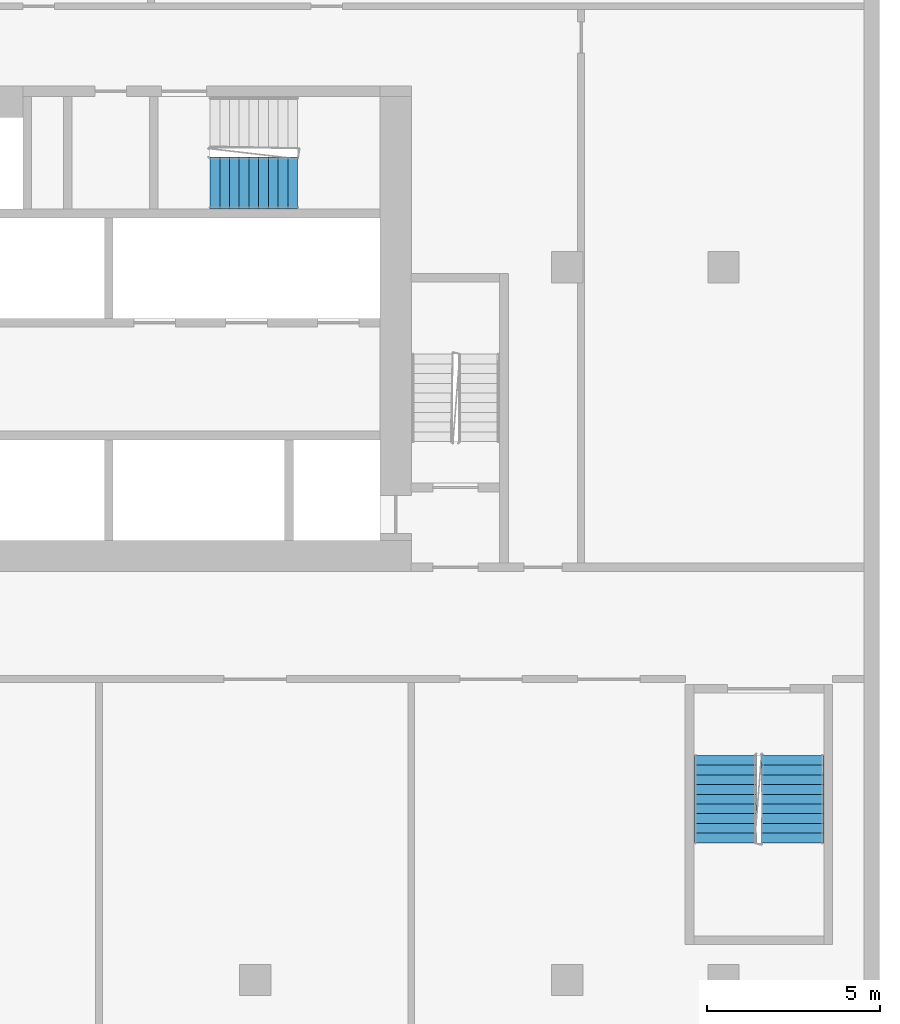
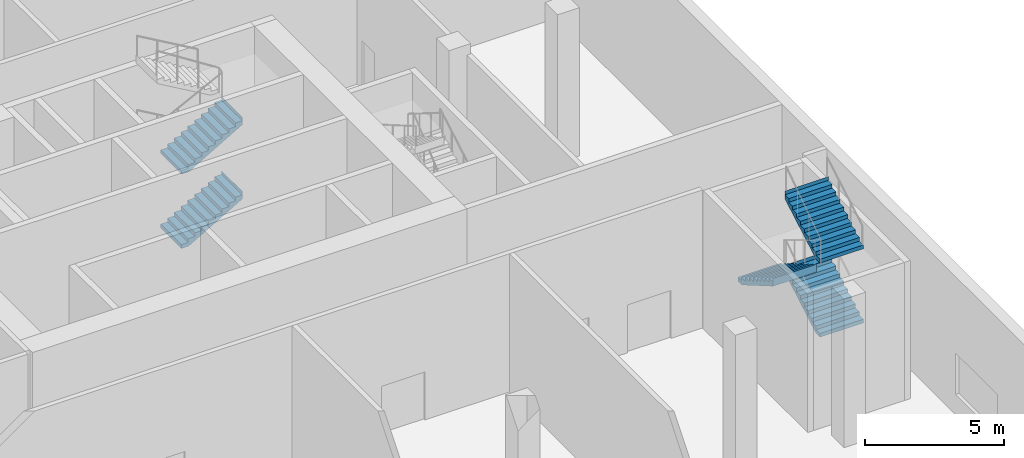
# One storey, part 20 of 24: 5 stair flights, 2 elements without a shape of their own.
"""IFC4 building model written with IfcOpenShell, lengths in metres."""

from ifc_helpers import new_model, si_unit, direction, frame, origin, place, context, subcontext, project, spatial, faceted_brep, material, type_object, element, aggregate, save


model = new_model("IFC4")

# Units and contexts
model_context = context("Model", 3, precision=1e-05, world=origin(), true_north=direction((0.0, 1.0)))
body_context = subcontext(model_context, "Body", "Model", "MODEL_VIEW")
ifc_project = project(units=[si_unit("LENGTHUNIT", "METRE"), si_unit("AREAUNIT", "SQUARE_METRE"), si_unit("VOLUMEUNIT", "CUBIC_METRE"), si_unit("PLANEANGLEUNIT", "RADIAN"), si_unit("MASSUNIT", "GRAM", prefix="KILO")], contexts=[model_context])

# Site, building, storey
site_placement = place(None, origin())
site = spatial("IfcSite", under=ifc_project, at=site_placement, CompositionType="ELEMENT")
building_placement = place(site_placement, origin())
building = spatial("IfcBuilding", under=site, at=building_placement, Name="Kajstack Hotel Tower", CompositionType="ELEMENT")
storey_placement = place(building_placement, frame((0.0, 0.0, 17.0)))
storey = spatial("IfcBuildingStorey", under=building, at=storey_placement, Name="L02", CompositionType="ELEMENT", Elevation=17.0)

# Stair, stair flights
ifc_material = material(Name="Concrete C40/50", Category="concrete")
stair_type_1 = type_object("IfcStairType", Name="Escape stair 1800", PredefinedType="HALF_TURN_STAIR", material=ifc_material)
stair_1_placement = place(storey_placement, origin())
stair_1 = element("IfcStair", 1, at=stair_1_placement, inside=storey, type_object=stair_type_1, Name="L02 stair P2", PredefinedType="HALF_TURN_STAIR")
stair_flight_type_1 = type_object("IfcStairFlightType", Name="Escape stair flight 1800", PredefinedType="STRAIGHT", material=ifc_material)
stair_flight_1_placement = place(storey_placement, frame((42.5, -6.320068359375, 1.625), z_axis=(0.0, 0.0, 1.0), x_axis=(0.0, 1.0, 0.0)))
stair_flight_1 = element("IfcStairFlight", 2, at=stair_flight_1_placement, type_object=stair_flight_type_1, Name="P2 flight 2", NumberOfRisers=10, NumberOfTreads=9, PredefinedType="STRAIGHT", RiserHeight=0.1625, TreadLength=0.28, context=body_context, shape_type="Brep", body=[
    faceted_brep([(0.299072265625, -0.89990234375, 0.0), (2.5205078125, -0.89990234375, 1.2890625), (2.5205078125, -0.89990234375, 1.625), (2.52001953125, -0.89990234375, 1.625), (2.52001953125, -0.89990234375, 1.46240234375), (2.239990234375, -0.89990234375, 1.46240234375), (2.239990234375, -0.89990234375, 1.300048828125), (1.9599609375, -0.89990234375, 1.300048828125), (1.9599609375, -0.89990234375, 1.137451171875), (1.679931640625, -0.89990234375, 1.137451171875), (1.679931640625, -0.89990234375, 0.97509765625), (1.39990234375, -0.89990234375, 0.97509765625), (1.39990234375, -0.89990234375, 0.8125), (1.1201171875, -0.89990234375, 0.8125), (1.1201171875, -0.89990234375, 0.64990234375), (0.840087890625, -0.89990234375, 0.64990234375), (0.840087890625, -0.89990234375, 0.487548828125), (0.56005859375, -0.89990234375, 0.487548828125), (0.56005859375, -0.89990234375, 0.324951171875), (0.280029296875, -0.89990234375, 0.324951171875), (0.280029296875, -0.89990234375, 0.16259765625), (-0.00048828125, -0.89990234375, 0.16259765625), (-0.00048828125, -0.89990234375, 0.0), (-0.00048828125, 0.89990234375, 0.0), (-0.00048828125, 0.89990234375, 0.16259765625), (0.280029296875, 0.89990234375, 0.16259765625), (0.280029296875, 0.89990234375, 0.324951171875), (0.56005859375, 0.89990234375, 0.324951171875), (0.56005859375, 0.89990234375, 0.487548828125), (0.840087890625, 0.89990234375, 0.487548828125), (0.840087890625, 0.89990234375, 0.64990234375), (1.1201171875, 0.89990234375, 0.64990234375), (1.1201171875, 0.89990234375, 0.8125), (1.39990234375, 0.89990234375, 0.8125), (1.39990234375, 0.89990234375, 0.97509765625), (1.679931640625, 0.89990234375, 0.97509765625), (1.679931640625, 0.89990234375, 1.137451171875), (1.9599609375, 0.89990234375, 1.137451171875), (1.9599609375, 0.89990234375, 1.300048828125), (2.239990234375, 0.89990234375, 1.300048828125), (2.239990234375, 0.89990234375, 1.46240234375), (2.52001953125, 0.89990234375, 1.46240234375), (2.52001953125, 0.89990234375, 1.625), (2.5205078125, 0.89990234375, 1.625), (2.5205078125, 0.89990234375, 1.2890625), (0.299072265625, 0.89990234375, 0.0), (-0.00048828125, -0.449951171875, 0.16259765625), (-0.00048828125, 0.0, 0.16259765625), (-0.00048828125, 0.449951171875, 0.16259765625), (-0.00048828125, 0.449951171875, 0.0), (-0.00048828125, 0.0, 0.0), (-0.00048828125, -0.449951171875, 0.0), (0.280029296875, -0.449951171875, 0.16259765625), (0.280029296875, 0.0, 0.16259765625), (0.280029296875, 0.449951171875, 0.16259765625), (0.280029296875, -0.449951171875, 0.324951171875), (0.280029296875, 0.0, 0.324951171875), (0.280029296875, 0.449951171875, 0.324951171875), (0.56005859375, -0.449951171875, 0.324951171875), (0.56005859375, 0.0, 0.324951171875), (0.56005859375, 0.449951171875, 0.324951171875), (0.56005859375, -0.449951171875, 0.487548828125), (0.56005859375, 0.0, 0.487548828125), (0.56005859375, 0.449951171875, 0.487548828125), (0.840087890625, -0.449951171875, 0.487548828125), (0.840087890625, 0.0, 0.487548828125), (0.840087890625, 0.449951171875, 0.487548828125), (0.840087890625, -0.449951171875, 0.64990234375), (0.840087890625, 0.0, 0.64990234375), (0.840087890625, 0.449951171875, 0.64990234375), (1.1201171875, -0.449951171875, 0.64990234375), (1.1201171875, 0.0, 0.64990234375), (1.1201171875, 0.449951171875, 0.64990234375), (1.1201171875, -0.449951171875, 0.8125), (1.1201171875, 0.0, 0.8125), (1.1201171875, 0.449951171875, 0.8125), (1.39990234375, -0.449951171875, 0.8125), (1.39990234375, 0.0, 0.8125), (1.39990234375, 0.449951171875, 0.8125), (1.39990234375, -0.449951171875, 0.97509765625), (1.39990234375, 0.0, 0.97509765625), (1.39990234375, 0.449951171875, 0.97509765625), (1.679931640625, -0.449951171875, 0.97509765625), (1.679931640625, 0.0, 0.97509765625), (1.679931640625, 0.449951171875, 0.97509765625), (1.679931640625, -0.449951171875, 1.137451171875), (1.679931640625, 0.0, 1.137451171875), (1.679931640625, 0.449951171875, 1.137451171875), (1.9599609375, -0.449951171875, 1.137451171875), (1.9599609375, 0.0, 1.137451171875), (1.9599609375, 0.449951171875, 1.137451171875), (1.9599609375, -0.449951171875, 1.300048828125), (1.9599609375, 0.0, 1.300048828125), (1.9599609375, 0.449951171875, 1.300048828125), (2.239990234375, -0.449951171875, 1.300048828125), (2.239990234375, 0.0, 1.300048828125), (2.239990234375, 0.449951171875, 1.300048828125), (2.239990234375, -0.449951171875, 1.46240234375), (2.239990234375, 0.0, 1.46240234375), (2.239990234375, 0.449951171875, 1.46240234375), (2.52001953125, -0.449951171875, 1.46240234375), (2.52001953125, 0.0, 1.46240234375), (2.52001953125, 0.449951171875, 1.46240234375), (2.52001953125, -0.449951171875, 1.625), (2.52001953125, 0.0, 1.625), (2.52001953125, 0.449951171875, 1.625), (2.5205078125, -0.449951171875, 1.625), (2.5205078125, 0.0, 1.625), (2.5205078125, 0.449951171875, 1.625), (2.5205078125, -0.449951171875, 1.2890625), (2.5205078125, 0.0, 1.2890625), (2.5205078125, 0.449951171875, 1.2890625), (0.299072265625, -0.449951171875, 0.0), (0.299072265625, 0.0, 0.0), (0.299072265625, 0.449951171875, 0.0)], [[[0, 1, 2, 3, 4, 5, 6, 7, 8, 9, 10, 11, 12, 13, 14, 15, 16, 17, 18, 19, 20, 21, 22]], [[23, 24, 25, 26, 27, 28, 29, 30, 31, 32, 33, 34, 35, 36, 37, 38, 39, 40, 41, 42, 43, 44, 45]], [[21, 46, 47, 48, 24, 23, 49, 50, 51, 22]], [[20, 52, 53, 54, 25, 24, 48, 47, 46, 21]], [[19, 55, 56, 57, 26, 25, 54, 53, 52, 20]], [[18, 58, 59, 60, 27, 26, 57, 56, 55, 19]], [[17, 61, 62, 63, 28, 27, 60, 59, 58, 18]], [[16, 64, 65, 66, 29, 28, 63, 62, 61, 17]], [[15, 67, 68, 69, 30, 29, 66, 65, 64, 16]], [[14, 70, 71, 72, 31, 30, 69, 68, 67, 15]], [[13, 73, 74, 75, 32, 31, 72, 71, 70, 14]], [[12, 76, 77, 78, 33, 32, 75, 74, 73, 13]], [[11, 79, 80, 81, 34, 33, 78, 77, 76, 12]], [[10, 82, 83, 84, 35, 34, 81, 80, 79, 11]], [[9, 85, 86, 87, 36, 35, 84, 83, 82, 10]], [[8, 88, 89, 90, 37, 36, 87, 86, 85, 9]], [[7, 91, 92, 93, 38, 37, 90, 89, 88, 8]], [[6, 94, 95, 96, 39, 38, 93, 92, 91, 7]], [[5, 97, 98, 99, 40, 39, 96, 95, 94, 6]], [[4, 100, 101, 102, 41, 40, 99, 98, 97, 5]], [[3, 103, 104, 105, 42, 41, 102, 101, 100, 4]], [[2, 106, 107, 108, 43, 42, 105, 104, 103, 3]], [[1, 109, 110, 111, 44, 43, 108, 107, 106, 2]], [[0, 112, 113, 114, 45, 44, 111, 110, 109, 1]], [[22, 51, 50, 49, 23, 45, 114, 113, 112, 0]]]),
])
stair_flight_2_placement = place(storey_placement, frame((40.550048828125, -3.800048828125, 3.25), z_axis=(0.0, 0.0, 1.0), x_axis=(0.0, -1.0, 0.0)))
stair_flight_2 = element("IfcStairFlight", 3, at=stair_flight_2_placement, type_object=stair_flight_type_1, Name="P2 flight 3", NumberOfRisers=10, NumberOfTreads=9, PredefinedType="STRAIGHT", RiserHeight=0.1625, TreadLength=0.28, context=body_context, shape_type="Brep", body=[
    faceted_brep([(0.299072265625, -0.89990234375, 0.0), (2.5205078125, -0.89990234375, 1.2890625), (2.5205078125, -0.89990234375, 1.625), (2.52001953125, -0.89990234375, 1.625), (2.52001953125, -0.89990234375, 1.46240234375), (2.239990234375, -0.89990234375, 1.46240234375), (2.239990234375, -0.89990234375, 1.300048828125), (1.9599609375, -0.89990234375, 1.300048828125), (1.9599609375, -0.89990234375, 1.137451171875), (1.679931640625, -0.89990234375, 1.137451171875), (1.679931640625, -0.89990234375, 0.97509765625), (1.39990234375, -0.89990234375, 0.97509765625), (1.39990234375, -0.89990234375, 0.8125), (1.1201171875, -0.89990234375, 0.8125), (1.1201171875, -0.89990234375, 0.64990234375), (0.840087890625, -0.89990234375, 0.64990234375), (0.840087890625, -0.89990234375, 0.487548828125), (0.56005859375, -0.89990234375, 0.487548828125), (0.56005859375, -0.89990234375, 0.324951171875), (0.280029296875, -0.89990234375, 0.324951171875), (0.280029296875, -0.89990234375, 0.16259765625), (-0.00048828125, -0.89990234375, 0.16259765625), (-0.00048828125, -0.89990234375, 0.0), (-0.00048828125, 0.89990234375, 0.0), (-0.00048828125, 0.89990234375, 0.16259765625), (0.280029296875, 0.89990234375, 0.16259765625), (0.280029296875, 0.89990234375, 0.324951171875), (0.56005859375, 0.89990234375, 0.324951171875), (0.56005859375, 0.89990234375, 0.487548828125), (0.840087890625, 0.89990234375, 0.487548828125), (0.840087890625, 0.89990234375, 0.64990234375), (1.1201171875, 0.89990234375, 0.64990234375), (1.1201171875, 0.89990234375, 0.8125), (1.39990234375, 0.89990234375, 0.8125), (1.39990234375, 0.89990234375, 0.97509765625), (1.679931640625, 0.89990234375, 0.97509765625), (1.679931640625, 0.89990234375, 1.137451171875), (1.9599609375, 0.89990234375, 1.137451171875), (1.9599609375, 0.89990234375, 1.300048828125), (2.239990234375, 0.89990234375, 1.300048828125), (2.239990234375, 0.89990234375, 1.46240234375), (2.52001953125, 0.89990234375, 1.46240234375), (2.52001953125, 0.89990234375, 1.625), (2.5205078125, 0.89990234375, 1.625), (2.5205078125, 0.89990234375, 1.2890625), (0.299072265625, 0.89990234375, 0.0), (-0.00048828125, -0.449951171875, 0.16259765625), (-0.00048828125, 0.0, 0.16259765625), (-0.00048828125, 0.449951171875, 0.16259765625), (-0.00048828125, 0.449951171875, 0.0), (-0.00048828125, 0.0, 0.0), (-0.00048828125, -0.449951171875, 0.0), (0.280029296875, -0.449951171875, 0.16259765625), (0.280029296875, 0.0, 0.16259765625), (0.280029296875, 0.449951171875, 0.16259765625), (0.280029296875, -0.449951171875, 0.324951171875), (0.280029296875, 0.0, 0.324951171875), (0.280029296875, 0.449951171875, 0.324951171875), (0.56005859375, -0.449951171875, 0.324951171875), (0.56005859375, 0.0, 0.324951171875), (0.56005859375, 0.449951171875, 0.324951171875), (0.56005859375, -0.449951171875, 0.487548828125), (0.56005859375, 0.0, 0.487548828125), (0.56005859375, 0.449951171875, 0.487548828125), (0.840087890625, -0.449951171875, 0.487548828125), (0.840087890625, 0.0, 0.487548828125), (0.840087890625, 0.449951171875, 0.487548828125), (0.840087890625, -0.449951171875, 0.64990234375), (0.840087890625, 0.0, 0.64990234375), (0.840087890625, 0.449951171875, 0.64990234375), (1.1201171875, -0.449951171875, 0.64990234375), (1.1201171875, 0.0, 0.64990234375), (1.1201171875, 0.449951171875, 0.64990234375), (1.1201171875, -0.449951171875, 0.8125), (1.1201171875, 0.0, 0.8125), (1.1201171875, 0.449951171875, 0.8125), (1.39990234375, -0.449951171875, 0.8125), (1.39990234375, 0.0, 0.8125), (1.39990234375, 0.449951171875, 0.8125), (1.39990234375, -0.449951171875, 0.97509765625), (1.39990234375, 0.0, 0.97509765625), (1.39990234375, 0.449951171875, 0.97509765625), (1.679931640625, -0.449951171875, 0.97509765625), (1.679931640625, 0.0, 0.97509765625), (1.679931640625, 0.449951171875, 0.97509765625), (1.679931640625, -0.449951171875, 1.137451171875), (1.679931640625, 0.0, 1.137451171875), (1.679931640625, 0.449951171875, 1.137451171875), (1.9599609375, -0.449951171875, 1.137451171875), (1.9599609375, 0.0, 1.137451171875), (1.9599609375, 0.449951171875, 1.137451171875), (1.9599609375, -0.449951171875, 1.300048828125), (1.9599609375, 0.0, 1.300048828125), (1.9599609375, 0.449951171875, 1.300048828125), (2.239990234375, -0.449951171875, 1.300048828125), (2.239990234375, 0.0, 1.300048828125), (2.239990234375, 0.449951171875, 1.300048828125), (2.239990234375, -0.449951171875, 1.46240234375), (2.239990234375, 0.0, 1.46240234375), (2.239990234375, 0.449951171875, 1.46240234375), (2.52001953125, -0.449951171875, 1.46240234375), (2.52001953125, 0.0, 1.46240234375), (2.52001953125, 0.449951171875, 1.46240234375), (2.52001953125, -0.449951171875, 1.625), (2.52001953125, 0.0, 1.625), (2.52001953125, 0.449951171875, 1.625), (2.5205078125, -0.449951171875, 1.625), (2.5205078125, 0.0, 1.625), (2.5205078125, 0.449951171875, 1.625), (2.5205078125, -0.449951171875, 1.2890625), (2.5205078125, 0.0, 1.2890625), (2.5205078125, 0.449951171875, 1.2890625), (0.299072265625, -0.449951171875, 0.0), (0.299072265625, 0.0, 0.0), (0.299072265625, 0.449951171875, 0.0)], [[[0, 1, 2, 3, 4, 5, 6, 7, 8, 9, 10, 11, 12, 13, 14, 15, 16, 17, 18, 19, 20, 21, 22]], [[23, 24, 25, 26, 27, 28, 29, 30, 31, 32, 33, 34, 35, 36, 37, 38, 39, 40, 41, 42, 43, 44, 45]], [[21, 46, 47, 48, 24, 23, 49, 50, 51, 22]], [[20, 52, 53, 54, 25, 24, 48, 47, 46, 21]], [[19, 55, 56, 57, 26, 25, 54, 53, 52, 20]], [[18, 58, 59, 60, 27, 26, 57, 56, 55, 19]], [[17, 61, 62, 63, 28, 27, 60, 59, 58, 18]], [[16, 64, 65, 66, 29, 28, 63, 62, 61, 17]], [[15, 67, 68, 69, 30, 29, 66, 65, 64, 16]], [[14, 70, 71, 72, 31, 30, 69, 68, 67, 15]], [[13, 73, 74, 75, 32, 31, 72, 71, 70, 14]], [[12, 76, 77, 78, 33, 32, 75, 74, 73, 13]], [[11, 79, 80, 81, 34, 33, 78, 77, 76, 12]], [[10, 82, 83, 84, 35, 34, 81, 80, 79, 11]], [[9, 85, 86, 87, 36, 35, 84, 83, 82, 10]], [[8, 88, 89, 90, 37, 36, 87, 86, 85, 9]], [[7, 91, 92, 93, 38, 37, 90, 89, 88, 8]], [[6, 94, 95, 96, 39, 38, 93, 92, 91, 7]], [[5, 97, 98, 99, 40, 39, 96, 95, 94, 6]], [[4, 100, 101, 102, 41, 40, 99, 98, 97, 5]], [[3, 103, 104, 105, 42, 41, 102, 101, 100, 4]], [[2, 106, 107, 108, 43, 42, 105, 104, 103, 3]], [[1, 109, 110, 111, 44, 43, 108, 107, 106, 2]], [[0, 112, 113, 114, 45, 44, 111, 110, 109, 1]], [[22, 51, 50, 49, 23, 45, 114, 113, 112, 0]]]),
])
stair_flight_3_placement = place(storey_placement, frame((42.5, -6.320068359375, 4.875), z_axis=(0.0, 0.0, 1.0), x_axis=(0.0, 1.0, 0.0)))
stair_flight_3 = element("IfcStairFlight", 4, at=stair_flight_3_placement, type_object=stair_flight_type_1, Name="P2 flight 4", NumberOfRisers=10, NumberOfTreads=9, PredefinedType="STRAIGHT", RiserHeight=0.1625, TreadLength=0.28, context=body_context, shape_type="Brep", body=[
    faceted_brep([(0.299072265625, -0.89990234375, 0.0), (2.5205078125, -0.89990234375, 1.2890625), (2.5205078125, -0.89990234375, 1.625), (2.52001953125, -0.89990234375, 1.625), (2.52001953125, -0.89990234375, 1.46240234375), (2.239990234375, -0.89990234375, 1.46240234375), (2.239990234375, -0.89990234375, 1.300048828125), (1.9599609375, -0.89990234375, 1.300048828125), (1.9599609375, -0.89990234375, 1.137451171875), (1.679931640625, -0.89990234375, 1.137451171875), (1.679931640625, -0.89990234375, 0.97509765625), (1.39990234375, -0.89990234375, 0.97509765625), (1.39990234375, -0.89990234375, 0.8125), (1.1201171875, -0.89990234375, 0.8125), (1.1201171875, -0.89990234375, 0.64990234375), (0.840087890625, -0.89990234375, 0.64990234375), (0.840087890625, -0.89990234375, 0.487548828125), (0.56005859375, -0.89990234375, 0.487548828125), (0.56005859375, -0.89990234375, 0.324951171875), (0.280029296875, -0.89990234375, 0.324951171875), (0.280029296875, -0.89990234375, 0.16259765625), (-0.00048828125, -0.89990234375, 0.16259765625), (-0.00048828125, -0.89990234375, 0.0), (-0.00048828125, 0.89990234375, 0.0), (-0.00048828125, 0.89990234375, 0.16259765625), (0.280029296875, 0.89990234375, 0.16259765625), (0.280029296875, 0.89990234375, 0.324951171875), (0.56005859375, 0.89990234375, 0.324951171875), (0.56005859375, 0.89990234375, 0.487548828125), (0.840087890625, 0.89990234375, 0.487548828125), (0.840087890625, 0.89990234375, 0.64990234375), (1.1201171875, 0.89990234375, 0.64990234375), (1.1201171875, 0.89990234375, 0.8125), (1.39990234375, 0.89990234375, 0.8125), (1.39990234375, 0.89990234375, 0.97509765625), (1.679931640625, 0.89990234375, 0.97509765625), (1.679931640625, 0.89990234375, 1.137451171875), (1.9599609375, 0.89990234375, 1.137451171875), (1.9599609375, 0.89990234375, 1.300048828125), (2.239990234375, 0.89990234375, 1.300048828125), (2.239990234375, 0.89990234375, 1.46240234375), (2.52001953125, 0.89990234375, 1.46240234375), (2.52001953125, 0.89990234375, 1.625), (2.5205078125, 0.89990234375, 1.625), (2.5205078125, 0.89990234375, 1.2890625), (0.299072265625, 0.89990234375, 0.0), (-0.00048828125, -0.449951171875, 0.16259765625), (-0.00048828125, 0.0, 0.16259765625), (-0.00048828125, 0.449951171875, 0.16259765625), (-0.00048828125, 0.449951171875, 0.0), (-0.00048828125, 0.0, 0.0), (-0.00048828125, -0.449951171875, 0.0), (0.280029296875, -0.449951171875, 0.16259765625), (0.280029296875, 0.0, 0.16259765625), (0.280029296875, 0.449951171875, 0.16259765625), (0.280029296875, -0.449951171875, 0.324951171875), (0.280029296875, 0.0, 0.324951171875), (0.280029296875, 0.449951171875, 0.324951171875), (0.56005859375, -0.449951171875, 0.324951171875), (0.56005859375, 0.0, 0.324951171875), (0.56005859375, 0.449951171875, 0.324951171875), (0.56005859375, -0.449951171875, 0.487548828125), (0.56005859375, 0.0, 0.487548828125), (0.56005859375, 0.449951171875, 0.487548828125), (0.840087890625, -0.449951171875, 0.487548828125), (0.840087890625, 0.0, 0.487548828125), (0.840087890625, 0.449951171875, 0.487548828125), (0.840087890625, -0.449951171875, 0.64990234375), (0.840087890625, 0.0, 0.64990234375), (0.840087890625, 0.449951171875, 0.64990234375), (1.1201171875, -0.449951171875, 0.64990234375), (1.1201171875, 0.0, 0.64990234375), (1.1201171875, 0.449951171875, 0.64990234375), (1.1201171875, -0.449951171875, 0.8125), (1.1201171875, 0.0, 0.8125), (1.1201171875, 0.449951171875, 0.8125), (1.39990234375, -0.449951171875, 0.8125), (1.39990234375, 0.0, 0.8125), (1.39990234375, 0.449951171875, 0.8125), (1.39990234375, -0.449951171875, 0.97509765625), (1.39990234375, 0.0, 0.97509765625), (1.39990234375, 0.449951171875, 0.97509765625), (1.679931640625, -0.449951171875, 0.97509765625), (1.679931640625, 0.0, 0.97509765625), (1.679931640625, 0.449951171875, 0.97509765625), (1.679931640625, -0.449951171875, 1.137451171875), (1.679931640625, 0.0, 1.137451171875), (1.679931640625, 0.449951171875, 1.137451171875), (1.9599609375, -0.449951171875, 1.137451171875), (1.9599609375, 0.0, 1.137451171875), (1.9599609375, 0.449951171875, 1.137451171875), (1.9599609375, -0.449951171875, 1.300048828125), (1.9599609375, 0.0, 1.300048828125), (1.9599609375, 0.449951171875, 1.300048828125), (2.239990234375, -0.449951171875, 1.300048828125), (2.239990234375, 0.0, 1.300048828125), (2.239990234375, 0.449951171875, 1.300048828125), (2.239990234375, -0.449951171875, 1.46240234375), (2.239990234375, 0.0, 1.46240234375), (2.239990234375, 0.449951171875, 1.46240234375), (2.52001953125, -0.449951171875, 1.46240234375), (2.52001953125, 0.0, 1.46240234375), (2.52001953125, 0.449951171875, 1.46240234375), (2.52001953125, -0.449951171875, 1.625), (2.52001953125, 0.0, 1.625), (2.52001953125, 0.449951171875, 1.625), (2.5205078125, -0.449951171875, 1.625), (2.5205078125, 0.0, 1.625), (2.5205078125, 0.449951171875, 1.625), (2.5205078125, -0.449951171875, 1.2890625), (2.5205078125, 0.0, 1.2890625), (2.5205078125, 0.449951171875, 1.2890625), (0.299072265625, -0.449951171875, 0.0), (0.299072265625, 0.0, 0.0), (0.299072265625, 0.449951171875, 0.0)], [[[0, 1, 2, 3, 4, 5, 6, 7, 8, 9, 10, 11, 12, 13, 14, 15, 16, 17, 18, 19, 20, 21, 22]], [[23, 24, 25, 26, 27, 28, 29, 30, 31, 32, 33, 34, 35, 36, 37, 38, 39, 40, 41, 42, 43, 44, 45]], [[21, 46, 47, 48, 24, 23, 49, 50, 51, 22]], [[20, 52, 53, 54, 25, 24, 48, 47, 46, 21]], [[19, 55, 56, 57, 26, 25, 54, 53, 52, 20]], [[18, 58, 59, 60, 27, 26, 57, 56, 55, 19]], [[17, 61, 62, 63, 28, 27, 60, 59, 58, 18]], [[16, 64, 65, 66, 29, 28, 63, 62, 61, 17]], [[15, 67, 68, 69, 30, 29, 66, 65, 64, 16]], [[14, 70, 71, 72, 31, 30, 69, 68, 67, 15]], [[13, 73, 74, 75, 32, 31, 72, 71, 70, 14]], [[12, 76, 77, 78, 33, 32, 75, 74, 73, 13]], [[11, 79, 80, 81, 34, 33, 78, 77, 76, 12]], [[10, 82, 83, 84, 35, 34, 81, 80, 79, 11]], [[9, 85, 86, 87, 36, 35, 84, 83, 82, 10]], [[8, 88, 89, 90, 37, 36, 87, 86, 85, 9]], [[7, 91, 92, 93, 38, 37, 90, 89, 88, 8]], [[6, 94, 95, 96, 39, 38, 93, 92, 91, 7]], [[5, 97, 98, 99, 40, 39, 96, 95, 94, 6]], [[4, 100, 101, 102, 41, 40, 99, 98, 97, 5]], [[3, 103, 104, 105, 42, 41, 102, 101, 100, 4]], [[2, 106, 107, 108, 43, 42, 105, 104, 103, 3]], [[1, 109, 110, 111, 44, 43, 108, 107, 106, 2]], [[0, 112, 113, 114, 45, 44, 111, 110, 109, 1]], [[22, 51, 50, 49, 23, 45, 114, 113, 112, 0]]]),
])
aggregate(stair_1, [stair_flight_1, stair_flight_2, stair_flight_3])

stair_type_2 = type_object("IfcStairType", Name="Exit stair 1500", PredefinedType="HALF_TURN_STAIR", material=ifc_material)
stair_2_placement = place(storey_placement, origin())
stair_2 = element("IfcStair", 5, at=stair_2_placement, inside=storey, type_object=stair_type_2, Name="L02 stair E3", PredefinedType="HALF_TURN_STAIR")
stair_flight_type_2 = type_object("IfcStairFlightType", Name="Exit stair flight 1500", PredefinedType="STRAIGHT", material=ifc_material)
stair_flight_4_placement = place(storey_placement, frame((25.699951171875, 12.699951171875, 0.0), z_axis=(0.0, 0.0, 1.0), x_axis=(1.0, 0.0, 0.0)))
stair_flight_4 = element("IfcStairFlight", 6, at=stair_flight_4_placement, type_object=stair_flight_type_2, Name="E3 flight 1", NumberOfRisers=10, NumberOfTreads=9, PredefinedType="STRAIGHT", RiserHeight=0.1625, TreadLength=0.28, context=body_context, shape_type="Brep", body=[
    faceted_brep([(0.299072265625, -0.75, 0.0), (2.5205078125, -0.75, 1.2890625), (2.5205078125, -0.75, 1.625), (2.52001953125, -0.75, 1.625), (2.52001953125, -0.75, 1.46240234375), (2.239990234375, -0.75, 1.46240234375), (2.239990234375, -0.75, 1.300048828125), (1.9599609375, -0.75, 1.300048828125), (1.9599609375, -0.75, 1.137451171875), (1.679931640625, -0.75, 1.137451171875), (1.679931640625, -0.75, 0.97509765625), (1.39990234375, -0.75, 0.97509765625), (1.39990234375, -0.75, 0.8125), (1.1201171875, -0.75, 0.8125), (1.1201171875, -0.75, 0.64990234375), (0.840087890625, -0.75, 0.64990234375), (0.840087890625, -0.75, 0.487548828125), (0.56005859375, -0.75, 0.487548828125), (0.56005859375, -0.75, 0.324951171875), (0.280029296875, -0.75, 0.324951171875), (0.280029296875, -0.75, 0.16259765625), (-0.00048828125, -0.75, 0.16259765625), (-0.00048828125, -0.75, 0.0), (-0.00048828125, 0.75, 0.0), (-0.00048828125, 0.75, 0.16259765625), (0.280029296875, 0.75, 0.16259765625), (0.280029296875, 0.75, 0.324951171875), (0.56005859375, 0.75, 0.324951171875), (0.56005859375, 0.75, 0.487548828125), (0.840087890625, 0.75, 0.487548828125), (0.840087890625, 0.75, 0.64990234375), (1.1201171875, 0.75, 0.64990234375), (1.1201171875, 0.75, 0.8125), (1.39990234375, 0.75, 0.8125), (1.39990234375, 0.75, 0.97509765625), (1.679931640625, 0.75, 0.97509765625), (1.679931640625, 0.75, 1.137451171875), (1.9599609375, 0.75, 1.137451171875), (1.9599609375, 0.75, 1.300048828125), (2.239990234375, 0.75, 1.300048828125), (2.239990234375, 0.75, 1.46240234375), (2.52001953125, 0.75, 1.46240234375), (2.52001953125, 0.75, 1.625), (2.5205078125, 0.75, 1.625), (2.5205078125, 0.75, 1.2890625), (0.299072265625, 0.75, 0.0), (-0.00048828125, -0.375, 0.16259765625), (-0.00048828125, 0.0, 0.16259765625), (-0.00048828125, 0.375, 0.16259765625), (-0.00048828125, 0.375, 0.0), (-0.00048828125, 0.0, 0.0), (-0.00048828125, -0.375, 0.0), (0.280029296875, -0.375, 0.16259765625), (0.280029296875, 0.0, 0.16259765625), (0.280029296875, 0.375, 0.16259765625), (0.280029296875, -0.375, 0.324951171875), (0.280029296875, 0.0, 0.324951171875), (0.280029296875, 0.375, 0.324951171875), (0.56005859375, -0.375, 0.324951171875), (0.56005859375, 0.0, 0.324951171875), (0.56005859375, 0.375, 0.324951171875), (0.56005859375, -0.375, 0.487548828125), (0.56005859375, 0.0, 0.487548828125), (0.56005859375, 0.375, 0.487548828125), (0.840087890625, -0.375, 0.487548828125), (0.840087890625, 0.0, 0.487548828125), (0.840087890625, 0.375, 0.487548828125), (0.840087890625, -0.375, 0.64990234375), (0.840087890625, 0.0, 0.64990234375), (0.840087890625, 0.375, 0.64990234375), (1.1201171875, -0.375, 0.64990234375), (1.1201171875, 0.0, 0.64990234375), (1.1201171875, 0.375, 0.64990234375), (1.1201171875, -0.375, 0.8125), (1.1201171875, 0.0, 0.8125), (1.1201171875, 0.375, 0.8125), (1.39990234375, -0.375, 0.8125), (1.39990234375, 0.0, 0.8125), (1.39990234375, 0.375, 0.8125), (1.39990234375, -0.375, 0.97509765625), (1.39990234375, 0.0, 0.97509765625), (1.39990234375, 0.375, 0.97509765625), (1.679931640625, -0.375, 0.97509765625), (1.679931640625, 0.0, 0.97509765625), (1.679931640625, 0.375, 0.97509765625), (1.679931640625, -0.375, 1.137451171875), (1.679931640625, 0.0, 1.137451171875), (1.679931640625, 0.375, 1.137451171875), (1.9599609375, -0.375, 1.137451171875), (1.9599609375, 0.0, 1.137451171875), (1.9599609375, 0.375, 1.137451171875), (1.9599609375, -0.375, 1.300048828125), (1.9599609375, 0.0, 1.300048828125), (1.9599609375, 0.375, 1.300048828125), (2.239990234375, -0.375, 1.300048828125), (2.239990234375, 0.0, 1.300048828125), (2.239990234375, 0.375, 1.300048828125), (2.239990234375, -0.375, 1.46240234375), (2.239990234375, 0.0, 1.46240234375), (2.239990234375, 0.375, 1.46240234375), (2.52001953125, -0.375, 1.46240234375), (2.52001953125, 0.0, 1.46240234375), (2.52001953125, 0.375, 1.46240234375), (2.52001953125, -0.375, 1.625), (2.52001953125, 0.0, 1.625), (2.52001953125, 0.375, 1.625), (2.5205078125, -0.375, 1.625), (2.5205078125, 0.0, 1.625), (2.5205078125, 0.375, 1.625), (2.5205078125, -0.375, 1.2890625), (2.5205078125, 0.0, 1.2890625), (2.5205078125, 0.375, 1.2890625), (0.299072265625, -0.375, 0.0), (0.299072265625, 0.0, 0.0), (0.299072265625, 0.375, 0.0)], [[[0, 1, 2, 3, 4, 5, 6, 7, 8, 9, 10, 11, 12, 13, 14, 15, 16, 17, 18, 19, 20, 21, 22]], [[23, 24, 25, 26, 27, 28, 29, 30, 31, 32, 33, 34, 35, 36, 37, 38, 39, 40, 41, 42, 43, 44, 45]], [[21, 46, 47, 48, 24, 23, 49, 50, 51, 22]], [[20, 52, 53, 54, 25, 24, 48, 47, 46, 21]], [[19, 55, 56, 57, 26, 25, 54, 53, 52, 20]], [[18, 58, 59, 60, 27, 26, 57, 56, 55, 19]], [[17, 61, 62, 63, 28, 27, 60, 59, 58, 18]], [[16, 64, 65, 66, 29, 28, 63, 62, 61, 17]], [[15, 67, 68, 69, 30, 29, 66, 65, 64, 16]], [[14, 70, 71, 72, 31, 30, 69, 68, 67, 15]], [[13, 73, 74, 75, 32, 31, 72, 71, 70, 14]], [[12, 76, 77, 78, 33, 32, 75, 74, 73, 13]], [[11, 79, 80, 81, 34, 33, 78, 77, 76, 12]], [[10, 82, 83, 84, 35, 34, 81, 80, 79, 11]], [[9, 85, 86, 87, 36, 35, 84, 83, 82, 10]], [[8, 88, 89, 90, 37, 36, 87, 86, 85, 9]], [[7, 91, 92, 93, 38, 37, 90, 89, 88, 8]], [[6, 94, 95, 96, 39, 38, 93, 92, 91, 7]], [[5, 97, 98, 99, 40, 39, 96, 95, 94, 6]], [[4, 100, 101, 102, 41, 40, 99, 98, 97, 5]], [[3, 103, 104, 105, 42, 41, 102, 101, 100, 4]], [[2, 106, 107, 108, 43, 42, 105, 104, 103, 3]], [[1, 109, 110, 111, 44, 43, 108, 107, 106, 2]], [[0, 112, 113, 114, 45, 44, 111, 110, 109, 1]], [[22, 51, 50, 49, 23, 45, 114, 113, 112, 0]]]),
])
stair_flight_5_placement = place(storey_placement, frame((25.699951171875, 12.699951171875, 3.25), z_axis=(0.0, 0.0, 1.0), x_axis=(1.0, 0.0, 0.0)))
stair_flight_5 = element("IfcStairFlight", 7, at=stair_flight_5_placement, type_object=stair_flight_type_2, Name="E3 flight 3", NumberOfRisers=10, NumberOfTreads=9, PredefinedType="STRAIGHT", RiserHeight=0.1625, TreadLength=0.28, context=body_context, shape_type="Brep", body=[
    faceted_brep([(0.299072265625, -0.75, 0.0), (2.5205078125, -0.75, 1.2890625), (2.5205078125, -0.75, 1.625), (2.52001953125, -0.75, 1.625), (2.52001953125, -0.75, 1.46240234375), (2.239990234375, -0.75, 1.46240234375), (2.239990234375, -0.75, 1.300048828125), (1.9599609375, -0.75, 1.300048828125), (1.9599609375, -0.75, 1.137451171875), (1.679931640625, -0.75, 1.137451171875), (1.679931640625, -0.75, 0.97509765625), (1.39990234375, -0.75, 0.97509765625), (1.39990234375, -0.75, 0.8125), (1.1201171875, -0.75, 0.8125), (1.1201171875, -0.75, 0.64990234375), (0.840087890625, -0.75, 0.64990234375), (0.840087890625, -0.75, 0.487548828125), (0.56005859375, -0.75, 0.487548828125), (0.56005859375, -0.75, 0.324951171875), (0.280029296875, -0.75, 0.324951171875), (0.280029296875, -0.75, 0.16259765625), (-0.00048828125, -0.75, 0.16259765625), (-0.00048828125, -0.75, 0.0), (-0.00048828125, 0.75, 0.0), (-0.00048828125, 0.75, 0.16259765625), (0.280029296875, 0.75, 0.16259765625), (0.280029296875, 0.75, 0.324951171875), (0.56005859375, 0.75, 0.324951171875), (0.56005859375, 0.75, 0.487548828125), (0.840087890625, 0.75, 0.487548828125), (0.840087890625, 0.75, 0.64990234375), (1.1201171875, 0.75, 0.64990234375), (1.1201171875, 0.75, 0.8125), (1.39990234375, 0.75, 0.8125), (1.39990234375, 0.75, 0.97509765625), (1.679931640625, 0.75, 0.97509765625), (1.679931640625, 0.75, 1.137451171875), (1.9599609375, 0.75, 1.137451171875), (1.9599609375, 0.75, 1.300048828125), (2.239990234375, 0.75, 1.300048828125), (2.239990234375, 0.75, 1.46240234375), (2.52001953125, 0.75, 1.46240234375), (2.52001953125, 0.75, 1.625), (2.5205078125, 0.75, 1.625), (2.5205078125, 0.75, 1.2890625), (0.299072265625, 0.75, 0.0), (-0.00048828125, -0.375, 0.16259765625), (-0.00048828125, 0.0, 0.16259765625), (-0.00048828125, 0.375, 0.16259765625), (-0.00048828125, 0.375, 0.0), (-0.00048828125, 0.0, 0.0), (-0.00048828125, -0.375, 0.0), (0.280029296875, -0.375, 0.16259765625), (0.280029296875, 0.0, 0.16259765625), (0.280029296875, 0.375, 0.16259765625), (0.280029296875, -0.375, 0.324951171875), (0.280029296875, 0.0, 0.324951171875), (0.280029296875, 0.375, 0.324951171875), (0.56005859375, -0.375, 0.324951171875), (0.56005859375, 0.0, 0.324951171875), (0.56005859375, 0.375, 0.324951171875), (0.56005859375, -0.375, 0.487548828125), (0.56005859375, 0.0, 0.487548828125), (0.56005859375, 0.375, 0.487548828125), (0.840087890625, -0.375, 0.487548828125), (0.840087890625, 0.0, 0.487548828125), (0.840087890625, 0.375, 0.487548828125), (0.840087890625, -0.375, 0.64990234375), (0.840087890625, 0.0, 0.64990234375), (0.840087890625, 0.375, 0.64990234375), (1.1201171875, -0.375, 0.64990234375), (1.1201171875, 0.0, 0.64990234375), (1.1201171875, 0.375, 0.64990234375), (1.1201171875, -0.375, 0.8125), (1.1201171875, 0.0, 0.8125), (1.1201171875, 0.375, 0.8125), (1.39990234375, -0.375, 0.8125), (1.39990234375, 0.0, 0.8125), (1.39990234375, 0.375, 0.8125), (1.39990234375, -0.375, 0.97509765625), (1.39990234375, 0.0, 0.97509765625), (1.39990234375, 0.375, 0.97509765625), (1.679931640625, -0.375, 0.97509765625), (1.679931640625, 0.0, 0.97509765625), (1.679931640625, 0.375, 0.97509765625), (1.679931640625, -0.375, 1.137451171875), (1.679931640625, 0.0, 1.137451171875), (1.679931640625, 0.375, 1.137451171875), (1.9599609375, -0.375, 1.137451171875), (1.9599609375, 0.0, 1.137451171875), (1.9599609375, 0.375, 1.137451171875), (1.9599609375, -0.375, 1.300048828125), (1.9599609375, 0.0, 1.300048828125), (1.9599609375, 0.375, 1.300048828125), (2.239990234375, -0.375, 1.300048828125), (2.239990234375, 0.0, 1.300048828125), (2.239990234375, 0.375, 1.300048828125), (2.239990234375, -0.375, 1.46240234375), (2.239990234375, 0.0, 1.46240234375), (2.239990234375, 0.375, 1.46240234375), (2.52001953125, -0.375, 1.46240234375), (2.52001953125, 0.0, 1.46240234375), (2.52001953125, 0.375, 1.46240234375), (2.52001953125, -0.375, 1.625), (2.52001953125, 0.0, 1.625), (2.52001953125, 0.375, 1.625), (2.5205078125, -0.375, 1.625), (2.5205078125, 0.0, 1.625), (2.5205078125, 0.375, 1.625), (2.5205078125, -0.375, 1.2890625), (2.5205078125, 0.0, 1.2890625), (2.5205078125, 0.375, 1.2890625), (0.299072265625, -0.375, 0.0), (0.299072265625, 0.0, 0.0), (0.299072265625, 0.375, 0.0)], [[[0, 1, 2, 3, 4, 5, 6, 7, 8, 9, 10, 11, 12, 13, 14, 15, 16, 17, 18, 19, 20, 21, 22]], [[23, 24, 25, 26, 27, 28, 29, 30, 31, 32, 33, 34, 35, 36, 37, 38, 39, 40, 41, 42, 43, 44, 45]], [[21, 46, 47, 48, 24, 23, 49, 50, 51, 22]], [[20, 52, 53, 54, 25, 24, 48, 47, 46, 21]], [[19, 55, 56, 57, 26, 25, 54, 53, 52, 20]], [[18, 58, 59, 60, 27, 26, 57, 56, 55, 19]], [[17, 61, 62, 63, 28, 27, 60, 59, 58, 18]], [[16, 64, 65, 66, 29, 28, 63, 62, 61, 17]], [[15, 67, 68, 69, 30, 29, 66, 65, 64, 16]], [[14, 70, 71, 72, 31, 30, 69, 68, 67, 15]], [[13, 73, 74, 75, 32, 31, 72, 71, 70, 14]], [[12, 76, 77, 78, 33, 32, 75, 74, 73, 13]], [[11, 79, 80, 81, 34, 33, 78, 77, 76, 12]], [[10, 82, 83, 84, 35, 34, 81, 80, 79, 11]], [[9, 85, 86, 87, 36, 35, 84, 83, 82, 10]], [[8, 88, 89, 90, 37, 36, 87, 86, 85, 9]], [[7, 91, 92, 93, 38, 37, 90, 89, 88, 8]], [[6, 94, 95, 96, 39, 38, 93, 92, 91, 7]], [[5, 97, 98, 99, 40, 39, 96, 95, 94, 6]], [[4, 100, 101, 102, 41, 40, 99, 98, 97, 5]], [[3, 103, 104, 105, 42, 41, 102, 101, 100, 4]], [[2, 106, 107, 108, 43, 42, 105, 104, 103, 3]], [[1, 109, 110, 111, 44, 43, 108, 107, 106, 2]], [[0, 112, 113, 114, 45, 44, 111, 110, 109, 1]], [[22, 51, 50, 49, 23, 45, 114, 113, 112, 0]]]),
])
aggregate(stair_2, [stair_flight_4, stair_flight_5])

save(model, "model.ifc")
